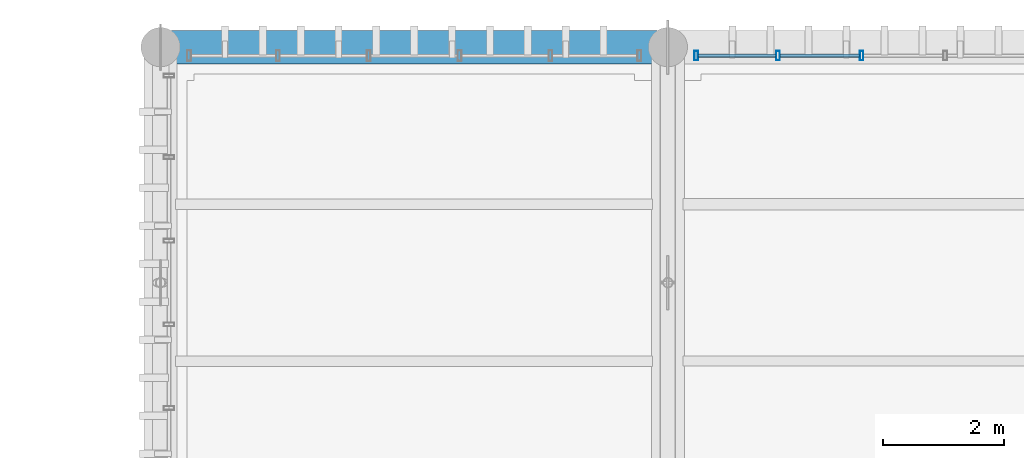
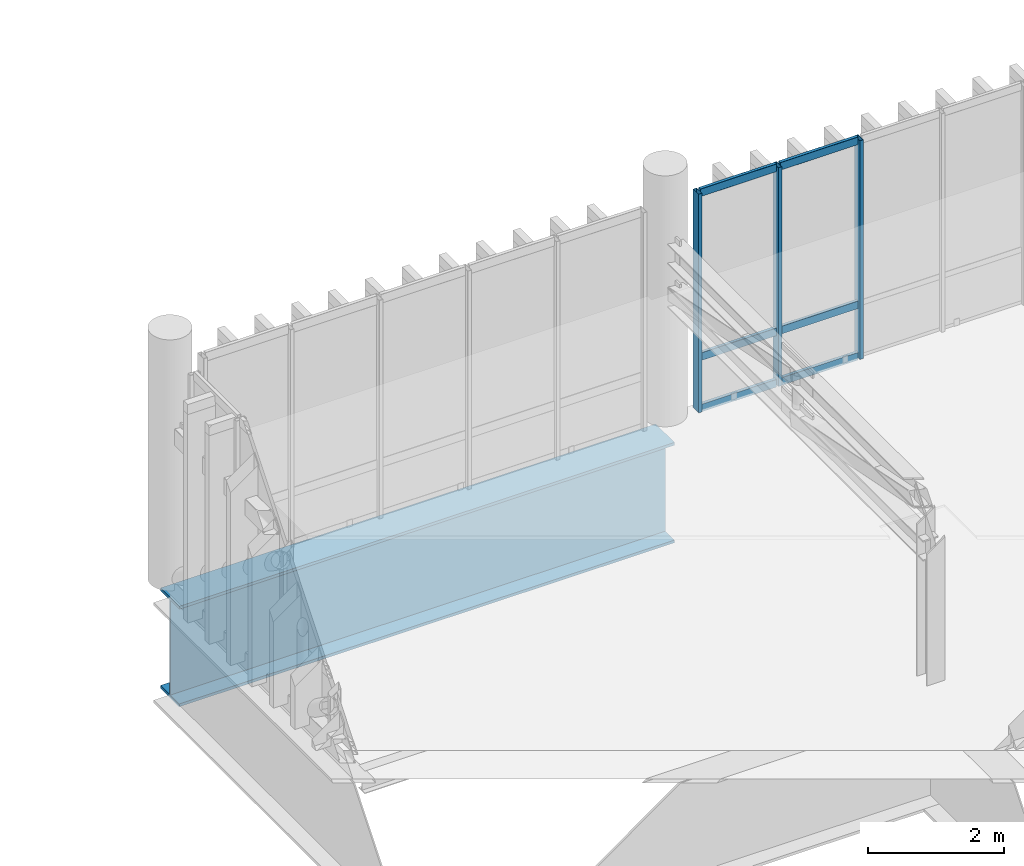
# One storey, part 35 of 53: 9 members, 1 beam, 1 element without a shape of its own.
"""IFC4 building model written with IfcOpenShell, lengths in metres."""

import ifcopenshell
import ifcopenshell.guid

model = None  # the IFC model being written
_history = None  # IfcOwnerHistory: only IFC2X3 demands one
_inside = {}  # id of a spatial element -> (the spatial element, [elements in it])
_under = {}  # id of a project, library or spatial element -> (it, [spatial elements below it])
_declared = {}  # id of a project -> (the project, [libraries it declares])
_typed = {}  # id of a type object -> (the type object, [elements of that type])
_made_of = {}  # id of a material, layer set ... -> (it, [elements and type objects made of it])


def new_model(schema):
    """Start an empty IFC model of exactly this schema.

    Asked for "IFC4X3", IfcOpenShell would pick the latest addendum, in which some entities
    have other attributes; the version numbers below select the first issue.
    IFC2X3 requires an IfcOwnerHistory on every rooted entity: one is made here for all.
    """
    global model, _history
    if schema == "IFC4X3":
        model = ifcopenshell.file(schema_version=(4, 3, 0, 0))
    else:
        model = ifcopenshell.file(schema=schema)
    _inside.clear()
    _under.clear()
    _declared.clear()
    _typed.clear()
    _made_of.clear()
    _history = None
    if model.schema == "IFC2X3":
        org = make("IfcOrganization", Name="unknown")
        user = make(
            "IfcPersonAndOrganization",
            ThePerson=make("IfcPerson", FamilyName="unknown"),
            TheOrganization=org,
        )
        app = make(
            "IfcApplication",
            ApplicationDeveloper=org,
            Version="unknown",
            ApplicationFullName="unknown",
            ApplicationIdentifier="unknown",
        )
        _history = make(
            "IfcOwnerHistory",
            OwningUser=user,
            OwningApplication=app,
            ChangeAction="ADDED",
            CreationDate=0,
        )
    return model


def make(cls, **values):
    """One entity of the class cls with the attributes given. An attribute that is None is left unset."""
    return model.create_entity(
        cls, **{name: value for name, value in values.items() if value is not None}
    )


def rooted(cls, **values):
    """An entity with a GlobalId (a new one), such as an element, a storey or a relation."""
    return make(cls, GlobalId=ifcopenshell.guid.new(), OwnerHistory=_history, **values)


def si_unit(unit_type, name, prefix=None):
    """IfcSIUnit, for example si_unit("LENGTHUNIT", "METRE", prefix="MILLI")."""
    return make("IfcSIUnit", UnitType=unit_type, Prefix=prefix, Name=name)


def assignment(units):
    """IfcUnitAssignment: the units of a project."""
    return None if units is None else make("IfcUnitAssignment", Units=units)


def point(xyz):
    """IfcCartesianPoint."""
    return None if xyz is None else make("IfcCartesianPoint", Coordinates=xyz)


def direction(xyz):
    """IfcDirection."""
    return None if xyz is None else make("IfcDirection", DirectionRatios=xyz)


def frame(location, z_axis=None, x_axis=None):
    """IfcAxis2Placement3D, a coordinate frame: its origin and axes. An axis left out is left unset."""
    return make(
        "IfcAxis2Placement3D",
        Location=point(location),
        Axis=direction(z_axis),
        RefDirection=direction(x_axis),
    )


def frame_2d(location, x_axis=None):
    """IfcAxis2Placement2D, a coordinate frame in the plane: its origin and x axis."""
    return make(
        "IfcAxis2Placement2D", Location=point(location), RefDirection=direction(x_axis)
    )


def origin_with_axes():
    """The frame at (0, 0, 0) with the z axis (0, 0, 1) and the x axis (1, 0, 0) written out."""
    return frame((0.0, 0.0, 0.0), z_axis=(0.0, 0.0, 1.0), x_axis=(1.0, 0.0, 0.0))


def origin_2d_with_axis():
    """The frame at (0, 0) in the plane with the x axis (1, 0) written out."""
    return frame_2d((0.0, 0.0), x_axis=(1.0, 0.0))


def place(relative_to, where):
    """IfcLocalPlacement: puts the frame where relative to a parent placement (None: the world)."""
    return make(
        "IfcLocalPlacement", PlacementRelTo=relative_to, RelativePlacement=where
    )


def context(
    kind, dimensions, precision=None, world=None, true_north=None, identifier=None
):
    """IfcGeometricRepresentationContext, for example the 3D "Model" context."""
    return make(
        "IfcGeometricRepresentationContext",
        ContextIdentifier=identifier,
        ContextType=kind,
        CoordinateSpaceDimension=dimensions,
        Precision=precision,
        WorldCoordinateSystem=world,
        TrueNorth=true_north,
    )


def subcontext(parent, identifier, kind, view, scale=None):
    """IfcGeometricRepresentationSubContext, for example "Body" below "Model"."""
    return make(
        "IfcGeometricRepresentationSubContext",
        ContextIdentifier=identifier,
        ContextType=kind,
        ParentContext=parent,
        TargetScale=scale,
        TargetView=view,
    )


def project(units=None, contexts=None):
    """IfcProject with its units and contexts."""
    return rooted(
        "IfcProject",
        Name="project",
        RepresentationContexts=contexts,
        UnitsInContext=assignment(units),
    )


def spatial(cls, under=None, at=None, **own):
    """A site, building, storey or space (cls), placed at a placement, below another one or the project."""
    s = rooted(cls, ObjectPlacement=at, **own)
    if under is not None:
        _under.setdefault(under.id(), (under, []))[1].append(s)
    return s


def profile(cls, at=None, kind="AREA", **sizes):
    """A parametric profile (cls). Its sizes go by their IFC names, for example OverallWidth=200.0."""
    return make(cls, ProfileType=kind, Position=at, **sizes)


def hollow_rectangle(**sizes):
    """IfcRectangleHollowProfileDef."""
    return profile("IfcRectangleHollowProfileDef", **sizes)


def i_section(**sizes):
    """IfcIShapeProfileDef."""
    return profile("IfcIShapeProfileDef", **sizes)


def extrude(swept, where, along, depth):
    """IfcExtrudedAreaSolid: the profile swept, set in the frame where, extruded along a direction by depth."""
    return make(
        "IfcExtrudedAreaSolid",
        SweptArea=swept,
        Position=where,
        ExtrudedDirection=direction(along),
        Depth=depth,
    )


def shape(context_of_items, identifier, shape_type, items):
    """IfcShapeRepresentation: the items that make up one representation, for example the "Body"."""
    return make(
        "IfcShapeRepresentation",
        ContextOfItems=context_of_items,
        RepresentationIdentifier=identifier,
        RepresentationType=shape_type,
        Items=items,
    )


def material(Name=None, Category=None):
    """IfcMaterial."""
    return make("IfcMaterial", Name=Name, Category=Category)


def material_profile(
    of_material, cross_section, Name=None, Category=None, Priority=None
):
    """IfcMaterialProfile: a cross section and its material."""
    return make(
        "IfcMaterialProfile",
        Name=Name,
        Material=of_material,
        Profile=cross_section,
        Priority=Priority,
        Category=Category,
    )


def profile_set(profiles, Name=None, composite=None):
    """IfcMaterialProfileSet."""
    return make(
        "IfcMaterialProfileSet",
        Name=Name,
        MaterialProfiles=profiles,
        CompositeProfile=composite,
    )


def made_of(thing, what):
    """Note that an element or type object is made of a material, layer set ...; save() writes the relation."""
    if what is not None:
        _made_of.setdefault(what.id(), (what, []))[1].append(thing)
    return thing


def type_object(cls, material=None, **own):
    """A type object (cls), such as IfcWallType, which elements share."""
    return made_of(rooted(cls, **own), material)


def element(
    cls,
    number,
    at=None,
    inside=None,
    cuts=None,
    type_object=None,
    material=None,
    context=None,
    identifier="Body",
    shape_type=None,
    held_by="IfcProductDefinitionShape",
    body=None,
    shapes=None,
    **own,
):
    """One element of the class cls, such as IfcWall. Its Tag is "e" and its number.

    at: its placement. inside: the storey or other place that contains it. cuts: it is an
    opening in that element (IfcRelVoidsElement). A single representation is given by context,
    identifier, shape_type and body (its items); several are given by shapes. held_by: the class
    of the entity that holds the representations. save() writes the other relations.
    """
    e = rooted(cls, Tag="e%d" % number, ObjectPlacement=at, **own)
    if body is not None:
        shapes = [shape(context, identifier, shape_type, body)]
    if shapes is not None:
        e.Representation = make(held_by, Representations=shapes)
    if inside is not None:
        _inside.setdefault(inside.id(), (inside, []))[1].append(e)
    if cuts is not None:
        rooted(
            "IfcRelVoidsElement", RelatingBuildingElement=cuts, RelatedOpeningElement=e
        )
    if type_object is not None:
        _typed.setdefault(type_object.id(), (type_object, []))[1].append(e)
    return made_of(e, material)


def aggregate(whole, parts):
    """IfcRelAggregates: a whole, such as a stair, and the parts it consists of."""
    return rooted("IfcRelAggregates", RelatingObject=whole, RelatedObjects=parts)


def save(model, path):
    """Write the relations noted so far, then the file.

    IfcRelAggregates (storeys below a building ...), IfcRelContainedInSpatialStructure (elements
    in a storey), IfcRelDefinesByType, IfcRelAssociatesMaterial and IfcRelDeclares: one each for
    every whole, place, type object, material and project.
    """
    for whole, parts in _under.values():
        aggregate(whole, parts)
    for where, things in _inside.values():
        rooted(
            "IfcRelContainedInSpatialStructure",
            RelatedElements=things,
            RelatingStructure=where,
        )
    for kind, things in _typed.values():
        rooted("IfcRelDefinesByType", RelatedObjects=things, RelatingType=kind)
    for what, things in _made_of.values():
        rooted("IfcRelAssociatesMaterial", RelatedObjects=things, RelatingMaterial=what)
    for by, libraries in _declared.values():
        rooted("IfcRelDeclares", RelatingContext=by, RelatedDefinitions=libraries)
    model.write(path)


model = new_model("IFC4")

# Units and contexts
model_context = context("Model", 3, precision=1e-05, world=origin_with_axes(), true_north=direction((0.0, 1.0)))
body_context = subcontext(model_context, "Body", "Model", "MODEL_VIEW")
ifc_project = project(units=[si_unit("LENGTHUNIT", "METRE"), si_unit("AREAUNIT", "SQUARE_METRE"), si_unit("VOLUMEUNIT", "CUBIC_METRE"), si_unit("PLANEANGLEUNIT", "RADIAN"), si_unit("MASSUNIT", "GRAM", prefix="KILO"), si_unit("THERMODYNAMICTEMPERATUREUNIT", "KELVIN")], contexts=[model_context])

# Site, building, storey
site_placement = place(None, origin_with_axes())
site = spatial("IfcSite", under=ifc_project, at=site_placement, CompositionType="ELEMENT")
building_placement = place(site_placement, origin_with_axes())
building = spatial("IfcBuilding", under=site, at=building_placement, Name="Montbau Bow Law Courts", CompositionType="ELEMENT")
storey_placement = place(building_placement, frame((0.0, 0.0, 39.0), z_axis=(0.0, 0.0, 1.0), x_axis=(1.0, 0.0, 0.0)))
storey = spatial("IfcBuildingStorey", under=building, at=storey_placement, Name="L08", CompositionType="ELEMENT", Elevation=39.0)

# Beam
ifc_material_1 = material(Name="Steel CSA G40.21 Grade 350WT (350 MPa)", Category="steel")
ifc_material_profile_1 = material_profile(ifc_material_1, i_section(OverallWidth=0.55, OverallDepth=1.8, WebThickness=0.022, FlangeThickness=0.05, at=origin_2d_with_axis()), Name="WWF1800X550", Category="Main", Priority=0)
ifc_profile_set_1 = profile_set([ifc_material_profile_1], Name="Steel CSA G40.21 Grade 350WT (350 MPa)")
beam_type = type_object("IfcBeamType", Name="B-TRG-01", PredefinedType="USERDEFINED", material=ifc_profile_set_1)
beam_placement = place(None, frame((138.6, 111.0, 37.76), z_axis=(1.0, 0.0, 0.0), x_axis=(0.0, 1.0, 0.0)))
element("IfcBeam", 1, at=beam_placement, inside=storey, type_object=beam_type, Name="TRG-L08-S0106:bm2_0109", ObjectType="GIRDER", PredefinedType="USERDEFINED", context=body_context, shape_type="SweptSolid", body=[
    extrude(i_section(OverallWidth=0.55, OverallDepth=1.8, WebThickness=0.022, FlangeThickness=0.05, at=origin_2d_with_axis()), origin_with_axes(), (0.0, 0.0, 1.0), 8.4),
])

# Curtain wall, members
ifc_material_2 = material(Name="Thermally Broken Extruded Aluminium AA 6063-T6", Category="aluminium")
curtain_wall_type = type_object("IfcCurtainWallType", Name="CW-CRM-03", PredefinedType="NOTDEFINED", material=ifc_material_2)
curtain_wall_placement = place(None, frame((147.44, 110.86, 39.0), z_axis=(0.0, 0.0, 1.0), x_axis=(1.0, 0.0, 0.0)))
curtain_wall = element("IfcCurtainWall", 2, at=curtain_wall_placement, inside=storey, type_object=curtain_wall_type, Name="CW-L08-377:cw_0377", PredefinedType="NOTDEFINED")
ifc_material_profile_2 = material_profile(ifc_material_2, hollow_rectangle(XDim=0.06, YDim=0.16, WallThickness=0.004, InnerFilletRadius=0.008, OuterFilletRadius=0.004, at=origin_2d_with_axis()), Name="CWM-160X60", Category="Main", Priority=0)
ifc_profile_set_2 = profile_set([ifc_material_profile_2], Name="Thermally Broken Extruded Aluminium AA 6063-T6")
member_type_1 = type_object("IfcMemberType", Name="M-MUL-03", PredefinedType="MULLION", material=ifc_profile_set_2)
member_1_placement = place(None, frame((147.47, 110.86, 39.0), z_axis=(0.0, 0.0, 1.0), x_axis=(1.0, 0.0, 0.0)))
member_1 = element("IfcMember", 3, at=member_1_placement, type_object=member_type_1, Name="CW-L08-377-M01:cw_0377_M01", PredefinedType="MULLION", context=body_context, shape_type="SweptSolid", body=[
    extrude(hollow_rectangle(XDim=0.06, YDim=0.16, WallThickness=0.004, InnerFilletRadius=0.008, OuterFilletRadius=0.004, at=origin_2d_with_axis()), origin_with_axes(), (0.0, 0.0, 1.0), 3.92),
])
member_2_placement = place(None, frame((148.824, 110.86, 39.0), z_axis=(0.0, 0.0, 1.0), x_axis=(1.0, 0.0, 0.0)))
member_2 = element("IfcMember", 4, at=member_2_placement, type_object=member_type_1, Name="CW-L08-377-M02:cw_0377_M02", PredefinedType="MULLION", context=body_context, shape_type="SweptSolid", body=[
    extrude(hollow_rectangle(XDim=0.06, YDim=0.16, WallThickness=0.004, InnerFilletRadius=0.008, OuterFilletRadius=0.004, at=origin_2d_with_axis()), origin_with_axes(), (0.0, 0.0, 1.0), 3.92),
])
member_3_placement = place(None, frame((150.208, 110.86, 39.0), z_axis=(0.0, 0.0, 1.0), x_axis=(1.0, 0.0, 0.0)))
member_3 = element("IfcMember", 5, at=member_3_placement, type_object=member_type_1, Name="CW-L08-377-M03:cw_0377_M03", PredefinedType="MULLION", context=body_context, shape_type="SweptSolid", body=[
    extrude(hollow_rectangle(XDim=0.06, YDim=0.16, WallThickness=0.004, InnerFilletRadius=0.008, OuterFilletRadius=0.004, at=origin_2d_with_axis()), origin_with_axes(), (0.0, 0.0, 1.0), 3.92),
])
ifc_material_profile_3 = material_profile(ifc_material_2, hollow_rectangle(XDim=0.055, YDim=0.14, WallThickness=0.004, InnerFilletRadius=0.008, OuterFilletRadius=0.004, at=origin_2d_with_axis()), Name="CWT-140X55", Category="Main", Priority=0)
ifc_profile_set_3 = profile_set([ifc_material_profile_3], Name="Thermally Broken Extruded Aluminium AA 6063-T6")
member_type_2 = type_object("IfcMemberType", Name="M-TRN-02", PredefinedType="USERDEFINED", material=ifc_profile_set_3)
member_4_placement = place(None, frame((147.502, 110.86, 39.028), z_axis=(1.0, 0.0, 0.0), x_axis=(0.0, 1.0, 0.0)))
member_4 = element("IfcMember", 6, at=member_4_placement, type_object=member_type_2, Name="CW-L08-377-T01-1:cw_0377_T01_1", ObjectType="TRANSOM", PredefinedType="USERDEFINED", context=body_context, shape_type="SweptSolid", body=[
    extrude(hollow_rectangle(XDim=0.055, YDim=0.14, WallThickness=0.004, InnerFilletRadius=0.008, OuterFilletRadius=0.004, at=origin_2d_with_axis()), origin_with_axes(), (0.0, 0.0, 1.0), 1.29),
])
member_5_placement = place(None, frame((147.502, 110.86, 39.95), z_axis=(1.0, 0.0, 0.0), x_axis=(0.0, 1.0, 0.0)))
member_5 = element("IfcMember", 7, at=member_5_placement, type_object=member_type_2, Name="CW-L08-377-T01-2:cw_0377_T01_2", ObjectType="TRANSOM", PredefinedType="USERDEFINED", context=body_context, shape_type="SweptSolid", body=[
    extrude(hollow_rectangle(XDim=0.055, YDim=0.14, WallThickness=0.004, InnerFilletRadius=0.008, OuterFilletRadius=0.004, at=origin_2d_with_axis()), origin_with_axes(), (0.0, 0.0, 1.0), 1.29),
])
member_6_placement = place(None, frame((147.502, 110.86, 42.892), z_axis=(1.0, 0.0, 0.0), x_axis=(0.0, 1.0, 0.0)))
member_6 = element("IfcMember", 8, at=member_6_placement, type_object=member_type_2, Name="CW-L08-377-T01-3:cw_0377_T01_3", ObjectType="TRANSOM", PredefinedType="USERDEFINED", context=body_context, shape_type="SweptSolid", body=[
    extrude(hollow_rectangle(XDim=0.055, YDim=0.14, WallThickness=0.004, InnerFilletRadius=0.008, OuterFilletRadius=0.004, at=origin_2d_with_axis()), origin_with_axes(), (0.0, 0.0, 1.0), 1.29),
])
member_7_placement = place(None, frame((148.856, 110.86, 39.028), z_axis=(1.0, 0.0, 0.0), x_axis=(0.0, 1.0, 0.0)))
member_7 = element("IfcMember", 9, at=member_7_placement, type_object=member_type_2, Name="CW-L08-377-T02-1:cw_0377_T02_1", ObjectType="TRANSOM", PredefinedType="USERDEFINED", context=body_context, shape_type="SweptSolid", body=[
    extrude(hollow_rectangle(XDim=0.055, YDim=0.14, WallThickness=0.004, InnerFilletRadius=0.008, OuterFilletRadius=0.004, at=origin_2d_with_axis()), origin_with_axes(), (0.0, 0.0, 1.0), 1.32),
])
member_8_placement = place(None, frame((148.856, 110.86, 39.95), z_axis=(1.0, 0.0, 0.0), x_axis=(0.0, 1.0, 0.0)))
member_8 = element("IfcMember", 10, at=member_8_placement, type_object=member_type_2, Name="CW-L08-377-T02-2:cw_0377_T02_2", ObjectType="TRANSOM", PredefinedType="USERDEFINED", context=body_context, shape_type="SweptSolid", body=[
    extrude(hollow_rectangle(XDim=0.055, YDim=0.14, WallThickness=0.004, InnerFilletRadius=0.008, OuterFilletRadius=0.004, at=origin_2d_with_axis()), origin_with_axes(), (0.0, 0.0, 1.0), 1.32),
])
member_9_placement = place(None, frame((148.856, 110.86, 42.892), z_axis=(1.0, 0.0, 0.0), x_axis=(0.0, 1.0, 0.0)))
member_9 = element("IfcMember", 11, at=member_9_placement, type_object=member_type_2, Name="CW-L08-377-T02-3:cw_0377_T02_3", ObjectType="TRANSOM", PredefinedType="USERDEFINED", context=body_context, shape_type="SweptSolid", body=[
    extrude(hollow_rectangle(XDim=0.055, YDim=0.14, WallThickness=0.004, InnerFilletRadius=0.008, OuterFilletRadius=0.004, at=origin_2d_with_axis()), origin_with_axes(), (0.0, 0.0, 1.0), 1.32),
])
aggregate(curtain_wall, [member_1, member_2, member_3, member_4, member_5, member_6, member_7, member_8, member_9])

save(model, "model.ifc")
